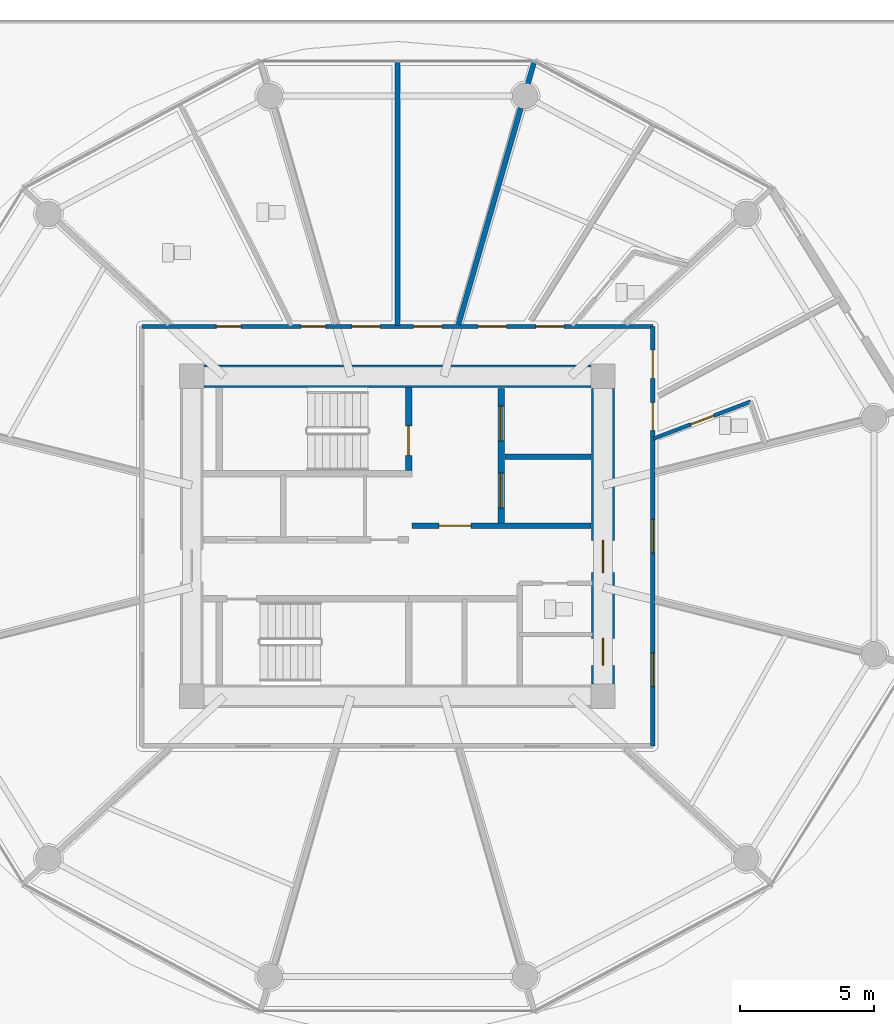
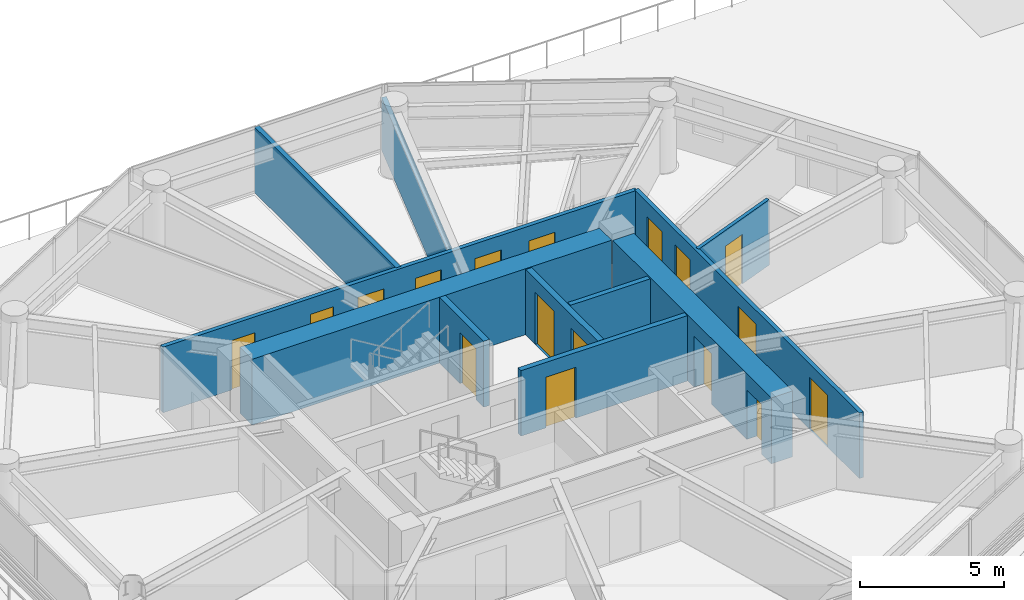
# One storey, part 16 of 32: 17 doors, 11 walls, 17 openings.
"""IFC4 building model written with IfcOpenShell, lengths in metres."""

from ifc_helpers import new_model, si_unit, direction, frame, frame_2d, origin, place, context, subcontext, project, spatial, rectangle, extrude, source, transform, mapped, material, layer, layer_set, type_object, type_shapes, element, fill, save


model = new_model("IFC4")

# Units and contexts
model_context = context("Model", 3, precision=1e-05, world=origin(), true_north=direction((0.0, 1.0)))
body_context = subcontext(model_context, "Body", "Model", "MODEL_VIEW")
ifc_project = project(units=[si_unit("LENGTHUNIT", "METRE"), si_unit("AREAUNIT", "SQUARE_METRE"), si_unit("VOLUMEUNIT", "CUBIC_METRE"), si_unit("PLANEANGLEUNIT", "RADIAN"), si_unit("MASSUNIT", "GRAM", prefix="KILO")], contexts=[model_context])

# Site, building, storey
site_placement = place(None, origin())
site = spatial("IfcSite", under=ifc_project, at=site_placement, CompositionType="ELEMENT")
building_placement = place(site_placement, origin())
building = spatial("IfcBuilding", under=site, at=building_placement, Name="Norrkilde Senior Care Towers", CompositionType="ELEMENT")
storey_placement = place(building_placement, frame((0.0, 0.0, 21.60009765625)))
storey = spatial("IfcBuildingStorey", under=building, at=storey_placement, Name="L05", CompositionType="ELEMENT", Elevation=21.60009765625)

# Wall
ifc_material_1 = material(Name="Concrete C60/75", Category="concrete")
ifc_layer_1 = layer(ifc_material_1, 0.85009765625)
ifc_layer_set_1 = layer_set([ifc_layer_1], Name="Concrete C60/75")
wall_type_1 = type_object("IfcWallType", Name="Core Shear Wall Z1 850", PredefinedType="SHEAR", material=ifc_layer_set_1)
shared_shape_1 = source(origin(), body_context, "Body", "SweptSolid", [
    extrude(rectangle(XDim=14.39990234375, YDim=0.85009765625, at=frame_2d((7.199951171875, 0.0))), origin(), (0.0, 0.0, 1.0), 2.789794921875),
])
wall_1_placement = place(storey_placement, frame((-35.199951171875, 5.949951171875, 0.0), z_axis=(0.0, 0.0, 1.0), x_axis=(1.0, 0.0, 0.0)))
element("IfcWall", 1, at=wall_1_placement, inside=storey, type_object=wall_type_1, Name="L05 Core W North Shear Wall", PredefinedType="SHEAR", context=body_context, shape_type="MappedRepresentation", body=[
    mapped(shared_shape_1, transform((0.0, 0.0, 0.0), x_axis=(1.0, 0.0, 0.0), y_axis=(0.0, 1.0, 0.0), z_axis=(0.0, 0.0, 1.0), scale=1.0)),
])

# Wall, openings, doors
shared_shape_2 = source(origin(), body_context, "Body", "SweptSolid", [
    extrude(rectangle(XDim=11.0, YDim=0.85009765625, at=frame_2d((5.5, 0.0))), origin(), (0.0, 0.0, 1.0), 2.789794921875),
])
type_shapes(wall_type_1, [shared_shape_1, shared_shape_2])
wall_2_placement = place(storey_placement, frame((-20.35009765625, 5.5, 0.0), z_axis=(0.0, 0.0, 1.0), x_axis=(0.0, -1.0, 0.0)))
wall_2 = element("IfcWall", 2, at=wall_2_placement, inside=storey, type_object=wall_type_1, Name="L05 Core W East Shear Wall", PredefinedType="SHEAR", context=body_context, shape_type="MappedRepresentation", body=[
    mapped(shared_shape_2, transform((0.0, 0.0, 0.0), x_axis=(1.0, 0.0, 0.0), y_axis=(0.0, 1.0, 0.0), z_axis=(0.0, 0.0, 1.0), scale=1.0)),
])
opening_1_placement = place(wall_2_placement, frame((5.64990234375, 0.0, 0.0)))
opening_1 = element("IfcOpeningElement", 3, at=opening_1_placement, cuts=wall_2, Name="Opening D-04", PredefinedType="OPENING", context=body_context, shape_type="SweptSolid", body=[
    extrude(rectangle(XDim=1.199951171875, YDim=2.14990234375, at=frame_2d((0.60009765625, 1.074951171875))), frame((0.0, 0.43505859375, 0.0), z_axis=(0.0, -1.0, 0.0), x_axis=(1.0, 0.0, 0.0)), (0.0, 0.0, 1.0), 0.8701171875),
])
opening_2_placement = place(wall_2_placement, frame((9.300048828125, 0.0, 0.0)))
opening_2 = element("IfcOpeningElement", 4, at=opening_2_placement, cuts=wall_2, Name="Opening D-10", PredefinedType="OPENING", context=body_context, shape_type="SweptSolid", body=[
    extrude(rectangle(XDim=1.0, YDim=2.10009765625, at=frame_2d((0.5, 1.050048828125))), frame((0.0, 0.43505859375, 0.0), z_axis=(0.0, -1.0, 0.0), x_axis=(1.0, 0.0, 0.0)), (0.0, 0.0, 1.0), 0.8701171875),
])
ifc_material_2 = material(Name="Galvanised Painted Steel", Category="steel")
door_type_1 = type_object("IfcDoorType", Name="Firefighting Lobby Fire Door 1200x2150", OperationType="NOTDEFINED", PredefinedType="DOOR", material=ifc_material_2)
shared_shape_3 = source(origin(), body_context, "Body", "SweptSolid", [
    extrude(rectangle(XDim=1.199951171875, YDim=2.14990234375, at=frame_2d((0.60009765625, 1.074951171875))), frame((0.0, 0.02490234375, 0.0), z_axis=(0.0, -1.0, 0.0), x_axis=(1.0, 0.0, 0.0)), (0.0, 0.0, 1.0), 0.050048828125),
])
type_shapes(door_type_1, [shared_shape_3])
door_1_placement = place(opening_1_placement, frame((1.199951171875, 0.0, 0.0), z_axis=(0.0, 0.0, 1.0), x_axis=(-1.0, 0.0, 0.0)))
door_1 = element("IfcDoor", 5, at=door_1_placement, inside=storey, type_object=door_type_1, Name="L05 Core W East Portal Door", OperationType="SINGLE_SWING_RIGHT", OverallHeight=2.14990234375, OverallWidth=1.199951171875, PredefinedType="DOOR", context=body_context, shape_type="MappedRepresentation", body=[
    mapped(shared_shape_3, transform((0.0, 0.0, 0.0), x_axis=(1.0, 0.0, 0.0), y_axis=(0.0, 1.0, 0.0), z_axis=(0.0, 0.0, 1.0), scale=1.0)),
])
fill(opening_1, door_1)
door_type_2 = type_object("IfcDoorType", Name="Plant and Riser Rated Door 1000x2100", OperationType="NOTDEFINED", PredefinedType="DOOR", material=ifc_material_2)
shared_shape_4 = source(origin(), body_context, "Body", "SweptSolid", [
    extrude(rectangle(XDim=1.0, YDim=2.10009765625, at=frame_2d((0.5, 1.050048828125))), frame((0.0, 0.02490234375, 0.0), z_axis=(0.0, -1.0, 0.0), x_axis=(1.0, 0.0, 0.0)), (0.0, 0.0, 1.0), 0.050048828125),
])
type_shapes(door_type_2, [shared_shape_4])
door_2_placement = place(opening_2_placement, frame((1.0, 0.0, 0.0), z_axis=(0.0, 0.0, 1.0), x_axis=(-1.0, 0.0, 0.0)))
door_2 = element("IfcDoor", 6, at=door_2_placement, inside=storey, type_object=door_type_2, Name="L05 Ventilation Riser W Door", OperationType="SINGLE_SWING_RIGHT", OverallHeight=2.10009765625, OverallWidth=1.0, PredefinedType="DOOR", context=body_context, shape_type="MappedRepresentation", body=[
    mapped(shared_shape_4, transform((0.0, 0.0, 0.0), x_axis=(1.0, 0.0, 0.0), y_axis=(0.0, 1.0, 0.0), z_axis=(0.0, 0.0, 1.0), scale=1.0)),
])
fill(opening_2, door_2)

# Wall, opening, door
ifc_material_3 = material(Name="Concrete C45/55", Category="concrete")
ifc_layer_2 = layer(ifc_material_3, 0.239990234375)
ifc_layer_set_2 = layer_set([ifc_layer_2], Name="Concrete C45/55")
wall_type_2 = type_object("IfcWallType", Name="Shaft and Stair Enclosure Wall 240", PredefinedType="PARTITIONING", material=ifc_layer_set_2)
shared_shape_5 = source(origin(), body_context, "Body", "SweptSolid", [
    extrude(rectangle(XDim=3.074951171875, YDim=0.239990234375, at=frame_2d((1.53759765625, 0.0))), origin(), (0.0, 0.0, 1.0), 2.789794921875),
])
type_shapes(wall_type_2, [shared_shape_5])
wall_3_placement = place(storey_placement, frame((-27.580078125, 2.449951171875, 0.0), z_axis=(0.0, 0.0, 1.0), x_axis=(0.0, 1.0, 0.0)))
wall_3 = element("IfcWall", 7, at=wall_3_placement, inside=storey, type_object=wall_type_2, Name="WL-INT-L05-W-ST1E", PredefinedType="PARTITIONING", context=body_context, shape_type="MappedRepresentation", body=[
    mapped(shared_shape_5, transform((0.0, 0.0, 0.0), x_axis=(1.0, 0.0, 0.0), y_axis=(0.0, 1.0, 0.0), z_axis=(0.0, 0.0, 1.0), scale=1.0)),
])
opening_3_placement = place(wall_3_placement, frame((0.550048828125, 0.0, 0.0)))
opening_3 = element("IfcOpeningElement", 8, at=opening_3_placement, cuts=wall_3, Name="Opening D-03", PredefinedType="OPENING", context=body_context, shape_type="SweptSolid", body=[
    extrude(rectangle(XDim=1.10009765625, YDim=2.14990234375, at=frame_2d((0.550048828125, 1.074951171875))), frame((0.0, 0.1298828125, 0.0), z_axis=(0.0, -1.0, 0.0), x_axis=(1.0, 0.0, 0.0)), (0.0, 0.0, 1.0), 0.260009765625),
])
door_type_3 = type_object("IfcDoorType", Name="Stairwell Protected Fire Door 1100x2150", OperationType="NOTDEFINED", PredefinedType="DOOR", material=ifc_material_2)
shared_shape_6 = source(origin(), body_context, "Body", "SweptSolid", [
    extrude(rectangle(XDim=1.10009765625, YDim=2.14990234375, at=frame_2d((0.550048828125, 1.074951171875))), frame((0.0, 0.02490234375, 0.0), z_axis=(0.0, -1.0, 0.0), x_axis=(1.0, 0.0, 0.0)), (0.0, 0.0, 1.0), 0.050048828125),
])
type_shapes(door_type_3, [shared_shape_6])
door_3_placement = place(opening_3_placement, origin())
door_3 = element("IfcDoor", 9, at=door_3_placement, inside=storey, type_object=door_type_3, Name="L05 Stair W1 Fire Door", OperationType="SINGLE_SWING_LEFT", OverallHeight=2.14990234375, OverallWidth=1.10009765625, PredefinedType="DOOR", context=body_context, shape_type="MappedRepresentation", body=[
    mapped(shared_shape_6, transform((0.0, 0.0, 0.0), x_axis=(1.0, 0.0, 0.0), y_axis=(0.0, 1.0, 0.0), z_axis=(0.0, 0.0, 1.0), scale=1.0)),
])
fill(opening_3, door_3)

# Wall, openings, doors
ifc_layer_3 = layer(ifc_material_3, 0.239990234375)
ifc_layer_set_3 = layer_set([ifc_layer_3], Name="Concrete C45/55")
wall_type_3 = type_object("IfcWallType", Name="Lift and Plant Rated Enclosure Partition 240", PredefinedType="PARTITIONING", material=ifc_layer_set_3)
shared_shape_7 = source(origin(), body_context, "Body", "SweptSolid", [
    extrude(rectangle(XDim=5.0, YDim=0.239990234375, at=frame_2d((2.5, 0.0))), origin(), (0.0, 0.0, 1.0), 2.77490234375),
])
type_shapes(wall_type_3, [shared_shape_7])
wall_4_placement = place(storey_placement, frame((-24.139892578125, 0.5, 0.0), z_axis=(0.0, 0.0, 1.0), x_axis=(0.0, 1.0, 0.0)))
wall_4 = element("IfcWall", 10, at=wall_4_placement, inside=storey, type_object=wall_type_3, Name="WL-INT-L05-W-FFLE", PredefinedType="PARTITIONING", context=body_context, shape_type="MappedRepresentation", body=[
    mapped(shared_shape_7, transform((0.0, 0.0, 0.0), x_axis=(1.0, 0.0, 0.0), y_axis=(0.0, 1.0, 0.0), z_axis=(0.0, 0.0, 1.0), scale=1.0)),
])
opening_4_placement = place(wall_4_placement, frame((3.050048828125, 0.0, 0.0)))
opening_4 = element("IfcOpeningElement", 11, at=opening_4_placement, cuts=wall_4, Name="Opening LD-02", PredefinedType="OPENING", context=body_context, shape_type="SweptSolid", body=[
    extrude(rectangle(XDim=1.300048828125, YDim=2.199951171875, at=frame_2d((0.64990234375, 1.10009765625))), frame((0.0, 0.1298828125, 0.0), z_axis=(0.0, -1.0, 0.0), x_axis=(1.0, 0.0, 0.0)), (0.0, 0.0, 1.0), 0.260009765625),
])
opening_5_placement = place(wall_4_placement, frame((0.550048828125, 0.0, 0.0)))
opening_5 = element("IfcOpeningElement", 12, at=opening_5_placement, cuts=wall_4, Name="Opening LD-02", PredefinedType="OPENING", context=body_context, shape_type="SweptSolid", body=[
    extrude(rectangle(XDim=1.300048828125, YDim=2.199951171875, at=frame_2d((0.64990234375, 1.10009765625))), frame((0.0, 0.1298828125, 0.0), z_axis=(0.0, -1.0, 0.0), x_axis=(1.0, 0.0, 0.0)), (0.0, 0.0, 1.0), 0.260009765625),
])
ifc_material_4 = material(Name="Stainless Steel", Category="steel")
door_type_4 = type_object("IfcDoorType", Name="Stretcher and FFL Landing Sliding Door 1300x2200", OperationType="NOTDEFINED", PredefinedType="DOOR", material=ifc_material_4)
shared_shape_8 = source(origin(), body_context, "Body", "SweptSolid", [
    extrude(rectangle(XDim=1.300048828125, YDim=2.199951171875, at=frame_2d((0.64990234375, 1.10009765625))), frame((0.0, 0.02490234375, 0.0), z_axis=(0.0, -1.0, 0.0), x_axis=(1.0, 0.0, 0.0)), (0.0, 0.0, 1.0), 0.050048828125),
])
type_shapes(door_type_4, [shared_shape_8])
door_4_placement = place(opening_4_placement, origin())
door_4 = element("IfcDoor", 13, at=door_4_placement, inside=storey, type_object=door_type_4, Name="L05 Firefighting Lift W1 Landing Door", OperationType="SLIDING_TO_LEFT", OverallHeight=2.199951171875, OverallWidth=1.300048828125, PredefinedType="DOOR", context=body_context, shape_type="MappedRepresentation", body=[
    mapped(shared_shape_8, transform((0.0, 0.0, 0.0), x_axis=(1.0, 0.0, 0.0), y_axis=(0.0, 1.0, 0.0), z_axis=(0.0, 0.0, 1.0), scale=1.0)),
])
fill(opening_4, door_4)
door_5_placement = place(opening_5_placement, origin())
door_5 = element("IfcDoor", 14, at=door_5_placement, inside=storey, type_object=door_type_4, Name="L05 Stretcher Lift W1 Landing Door", OperationType="SLIDING_TO_RIGHT", OverallHeight=2.199951171875, OverallWidth=1.300048828125, PredefinedType="DOOR", context=body_context, shape_type="MappedRepresentation", body=[
    mapped(shared_shape_8, transform((0.0, 0.0, 0.0), x_axis=(1.0, 0.0, 0.0), y_axis=(0.0, 1.0, 0.0), z_axis=(0.0, 0.0, 1.0), scale=1.0)),
])
fill(opening_5, door_5)

# Wall
ifc_layer_4 = layer(ifc_material_3, 0.199951171875)
ifc_layer_set_4 = layer_set([ifc_layer_4], Name="Concrete C45/55")
wall_type_4 = type_object("IfcWallType", Name="Shaft Division and Plant Partition 200", PredefinedType="PARTITIONING", material=ifc_layer_set_4)
shared_shape_9 = source(origin(), body_context, "Body", "SweptSolid", [
    extrude(rectangle(XDim=3.199951171875, YDim=0.199951171875, at=frame_2d((1.60009765625, 0.0))), origin(), (0.0, 0.0, 1.0), 2.77490234375),
])
type_shapes(wall_type_4, [shared_shape_9])
wall_5_placement = place(storey_placement, frame((-24.0, 2.949951171875, 0.0), z_axis=(0.0, 0.0, 1.0), x_axis=(1.0, 0.0, 0.0)))
element("IfcWall", 15, at=wall_5_placement, inside=storey, type_object=wall_type_4, Name="WL-INT-L05-W-FFLDIV", PredefinedType="PARTITIONING", context=body_context, shape_type="MappedRepresentation", body=[
    mapped(shared_shape_9, transform((0.0, 0.0, 0.0), x_axis=(1.0, 0.0, 0.0), y_axis=(0.0, 1.0, 0.0), z_axis=(0.0, 0.0, 1.0), scale=1.0)),
])

# Wall, opening, door
ifc_layer_5 = layer(ifc_material_3, 0.2099609375)
ifc_layer_set_5 = layer_set([ifc_layer_5], Name="Concrete C45/55")
wall_type_5 = type_object("IfcWallType", Name="Firefighting Lobby Wall 210", PredefinedType="PARTITIONING", material=ifc_layer_set_5)
shared_shape_10 = source(origin(), body_context, "Body", "SweptSolid", [
    extrude(rectangle(XDim=6.659912109375, YDim=0.2099609375, at=frame_2d((3.330078125, 0.0))), origin(), (0.0, 0.0, 1.0), 2.77490234375),
])
type_shapes(wall_type_5, [shared_shape_10])
wall_6_placement = place(storey_placement, frame((-27.4599609375, 0.389892578125, 0.0), z_axis=(0.0, 0.0, 1.0), x_axis=(1.0, 0.0, 0.0)))
wall_6 = element("IfcWall", 16, at=wall_6_placement, inside=storey, type_object=wall_type_5, Name="WL-INT-L05-W-FFLS", PredefinedType="PARTITIONING", context=body_context, shape_type="MappedRepresentation", body=[
    mapped(shared_shape_10, transform((0.0, 0.0, 0.0), x_axis=(1.0, 0.0, 0.0), y_axis=(0.0, 1.0, 0.0), z_axis=(0.0, 0.0, 1.0), scale=1.0)),
])
opening_6_placement = place(wall_6_placement, frame((1.0, 0.0, 0.0)))
opening_6 = element("IfcOpeningElement", 17, at=opening_6_placement, cuts=wall_6, Name="Opening D-04", PredefinedType="OPENING", context=body_context, shape_type="SweptSolid", body=[
    extrude(rectangle(XDim=1.199951171875, YDim=2.14990234375, at=frame_2d((0.60009765625, 1.074951171875))), frame((0.0, 0.114990234375, 0.0), z_axis=(0.0, -1.0, 0.0), x_axis=(1.0, 0.0, 0.0)), (0.0, 0.0, 1.0), 0.22998046875),
])
door_6_placement = place(opening_6_placement, frame((1.199951171875, 0.0, 0.0), z_axis=(0.0, 0.0, 1.0), x_axis=(-1.0, 0.0, 0.0)))
door_6 = element("IfcDoor", 18, at=door_6_placement, inside=storey, type_object=door_type_1, Name="L05 Firefighting Lobby W Door", OperationType="SINGLE_SWING_LEFT", OverallHeight=2.14990234375, OverallWidth=1.199951171875, PredefinedType="DOOR", context=body_context, shape_type="MappedRepresentation", body=[
    mapped(shared_shape_3, transform((0.0, 0.0, 0.0), x_axis=(1.0, 0.0, 0.0), y_axis=(0.0, 1.0, 0.0), z_axis=(0.0, 0.0, 1.0), scale=1.0)),
])
fill(opening_6, door_6)

# Wall, openings, doors
ifc_material_5 = material(Name="Gypsum Acoustic Board")
ifc_layer_6 = layer(ifc_material_5, 0.1650390625)
ifc_layer_set_6 = layer_set([ifc_layer_6], Name="Gypsum Acoustic Board")
wall_type_6 = type_object("IfcWallType", Name="Corridor Rated Partition 165", PredefinedType="PARTITIONING", material=ifc_layer_set_6)
shared_shape_11 = source(origin(), body_context, "Body", "SweptSolid", [
    extrude(rectangle(XDim=19.0, YDim=0.1650390625, at=frame_2d((9.5, 0.0))), origin(), (0.0, 0.0, 1.0), 2.77490234375),
])
wall_7_placement = place(storey_placement, frame((-37.5, 7.800048828125, 0.0), z_axis=(0.0, 0.0, 1.0), x_axis=(1.0, 0.0, 0.0)))
wall_7 = element("IfcWall", 19, at=wall_7_placement, inside=storey, type_object=wall_type_6, Name="WL-INT-L05-W-CRW-N-0", PredefinedType="PARTITIONING", context=body_context, shape_type="MappedRepresentation", body=[
    mapped(shared_shape_11, transform((0.0, 0.0, 0.0), x_axis=(1.0, 0.0, 0.0), y_axis=(0.0, 1.0, 0.0), z_axis=(0.0, 0.0, 1.0), scale=1.0)),
])
opening_7_placement = place(wall_7_placement, frame((14.6533203125, 0.0, 0.0)))
opening_7 = element("IfcOpeningElement", 20, at=opening_7_placement, cuts=wall_7, Name="Opening D-06", PredefinedType="OPENING", context=body_context, shape_type="SweptSolid", body=[
    extrude(rectangle(XDim=1.050048828125, YDim=2.14990234375, at=frame_2d((0.52490234375, 1.074951171875))), frame((0.0, 0.092529296875, 0.0), z_axis=(0.0, -1.0, 0.0), x_axis=(1.0, 0.0, 0.0)), (0.0, 0.0, 1.0), 0.18505859375),
])
opening_8_placement = place(wall_7_placement, frame((12.499755859375, 0.0, 0.0)))
opening_8 = element("IfcOpeningElement", 21, at=opening_8_placement, cuts=wall_7, Name="Opening D-06", PredefinedType="OPENING", context=body_context, shape_type="SweptSolid", body=[
    extrude(rectangle(XDim=1.050048828125, YDim=2.14990234375, at=frame_2d((0.52490234375, 1.074951171875))), frame((0.0, 0.092529296875, 0.0), z_axis=(0.0, -1.0, 0.0), x_axis=(1.0, 0.0, 0.0)), (0.0, 0.0, 1.0), 0.18505859375),
])
opening_9_placement = place(wall_7_placement, frame((10.103759765625, 0.0, 0.0)))
opening_9 = element("IfcOpeningElement", 22, at=opening_9_placement, cuts=wall_7, Name="Opening D-06", PredefinedType="OPENING", context=body_context, shape_type="SweptSolid", body=[
    extrude(rectangle(XDim=1.050048828125, YDim=2.14990234375, at=frame_2d((0.52490234375, 1.074951171875))), frame((0.0, 0.092529296875, 0.0), z_axis=(0.0, -1.0, 0.0), x_axis=(1.0, 0.0, 0.0)), (0.0, 0.0, 1.0), 0.18505859375),
])
opening_10_placement = place(wall_7_placement, frame((7.806396484375, 0.0, 0.0)))
opening_10 = element("IfcOpeningElement", 23, at=opening_10_placement, cuts=wall_7, Name="Opening D-06", PredefinedType="OPENING", context=body_context, shape_type="SweptSolid", body=[
    extrude(rectangle(XDim=1.050048828125, YDim=2.14990234375, at=frame_2d((0.52490234375, 1.074951171875))), frame((0.0, 0.092529296875, 0.0), z_axis=(0.0, -1.0, 0.0), x_axis=(1.0, 0.0, 0.0)), (0.0, 0.0, 1.0), 0.18505859375),
])
opening_11_placement = place(wall_7_placement, frame((5.915283203125, 0.0, 0.0)))
opening_11 = element("IfcOpeningElement", 24, at=opening_11_placement, cuts=wall_7, Name="Opening D-08", PredefinedType="OPENING", context=body_context, shape_type="SweptSolid", body=[
    extrude(rectangle(XDim=0.919921875, YDim=2.10009765625, at=frame_2d((0.4599609375, 1.050048828125))), frame((0.0, 0.092529296875, 0.0), z_axis=(0.0, -1.0, 0.0), x_axis=(1.0, 0.0, 0.0)), (0.0, 0.0, 1.0), 0.18505859375),
])
opening_12_placement = place(wall_7_placement, frame((2.76904296875, 0.0, 0.0)))
opening_12 = element("IfcOpeningElement", 25, at=opening_12_placement, cuts=wall_7, Name="Opening D-08", PredefinedType="OPENING", context=body_context, shape_type="SweptSolid", body=[
    extrude(rectangle(XDim=0.919921875, YDim=2.10009765625, at=frame_2d((0.4599609375, 1.050048828125))), frame((0.0, 0.092529296875, 0.0), z_axis=(0.0, -1.0, 0.0), x_axis=(1.0, 0.0, 0.0)), (0.0, 0.0, 1.0), 0.18505859375),
])
ifc_material_6 = material(Name="Nordic Ash Timber", Category="wood")
door_type_5 = type_object("IfcDoorType", Name="Accessible Wet Room Door 920x2100", OperationType="NOTDEFINED", PredefinedType="DOOR", material=ifc_material_6)
shared_shape_12 = source(origin(), body_context, "Body", "SweptSolid", [
    extrude(rectangle(XDim=0.919921875, YDim=2.10009765625, at=frame_2d((0.4599609375, 1.050048828125))), frame((0.0, 0.02490234375, 0.0), z_axis=(0.0, -1.0, 0.0), x_axis=(1.0, 0.0, 0.0)), (0.0, 0.0, 1.0), 0.050048828125),
])
type_shapes(door_type_5, [shared_shape_12])
door_7_placement = place(opening_11_placement, frame((0.919921875, 0.0, 0.0), z_axis=(0.0, 0.0, 1.0), x_axis=(-1.0, 0.0, 0.0)))
door_7 = element("IfcDoor", 26, at=door_7_placement, inside=storey, type_object=door_type_5, Name="L05 Accessible Restroom Door", OperationType="SINGLE_SWING_RIGHT", OverallHeight=2.10009765625, OverallWidth=0.919921875, PredefinedType="DOOR", context=body_context, shape_type="MappedRepresentation", body=[
    mapped(shared_shape_12, transform((0.0, 0.0, 0.0), x_axis=(1.0, 0.0, 0.0), y_axis=(0.0, 1.0, 0.0), z_axis=(0.0, 0.0, 1.0), scale=1.0)),
])
fill(opening_11, door_7)
door_8_placement = place(opening_12_placement, frame((0.919921875, 0.0, 0.0), z_axis=(0.0, 0.0, 1.0), x_axis=(-1.0, 0.0, 0.0)))
door_8 = element("IfcDoor", 27, at=door_8_placement, inside=storey, type_object=door_type_5, Name="L05 Public Restroom Door", OperationType="SINGLE_SWING_LEFT", OverallHeight=2.10009765625, OverallWidth=0.919921875, PredefinedType="DOOR", context=body_context, shape_type="MappedRepresentation", body=[
    mapped(shared_shape_12, transform((0.0, 0.0, 0.0), x_axis=(1.0, 0.0, 0.0), y_axis=(0.0, 1.0, 0.0), z_axis=(0.0, 0.0, 1.0), scale=1.0)),
])
fill(opening_12, door_8)
door_type_6 = type_object("IfcDoorType", Name="Apartment Entrance Fire Door 1050x2150", OperationType="NOTDEFINED", PredefinedType="DOOR", material=ifc_material_6)
shared_shape_13 = source(origin(), body_context, "Body", "SweptSolid", [
    extrude(rectangle(XDim=1.050048828125, YDim=2.14990234375, at=frame_2d((0.52490234375, 1.074951171875))), frame((0.0, 0.02490234375, 0.0), z_axis=(0.0, -1.0, 0.0), x_axis=(1.0, 0.0, 0.0)), (0.0, 0.0, 1.0), 0.050048828125),
])
type_shapes(door_type_6, [shared_shape_13])
door_9_placement = place(opening_7_placement, frame((1.050048828125, 0.0, 0.0), z_axis=(0.0, 0.0, 1.0), x_axis=(-1.0, 0.0, 0.0)))
door_9 = element("IfcDoor", 28, at=door_9_placement, inside=storey, type_object=door_type_6, Name="L05 Care Suite 0501A Entrance Door", OperationType="SINGLE_SWING_LEFT", OverallHeight=2.14990234375, OverallWidth=1.050048828125, PredefinedType="DOOR", context=body_context, shape_type="MappedRepresentation", body=[
    mapped(shared_shape_13, transform((0.0, 0.0, 0.0), x_axis=(1.0, 0.0, 0.0), y_axis=(0.0, 1.0, 0.0), z_axis=(0.0, 0.0, 1.0), scale=1.0)),
])
fill(opening_7, door_9)
door_10_placement = place(opening_8_placement, frame((1.050048828125, 0.0, 0.0), z_axis=(0.0, 0.0, 1.0), x_axis=(-1.0, 0.0, 0.0)))
door_10 = element("IfcDoor", 29, at=door_10_placement, inside=storey, type_object=door_type_6, Name="L05 Therapy Day Lounge 01 Door", OperationType="SINGLE_SWING_LEFT", OverallHeight=2.14990234375, OverallWidth=1.050048828125, PredefinedType="DOOR", context=body_context, shape_type="MappedRepresentation", body=[
    mapped(shared_shape_13, transform((0.0, 0.0, 0.0), x_axis=(1.0, 0.0, 0.0), y_axis=(0.0, 1.0, 0.0), z_axis=(0.0, 0.0, 1.0), scale=1.0)),
])
fill(opening_8, door_10)
door_11_placement = place(opening_9_placement, frame((1.050048828125, 0.0, 0.0), z_axis=(0.0, 0.0, 1.0), x_axis=(-1.0, 0.0, 0.0)))
door_11 = element("IfcDoor", 30, at=door_11_placement, inside=storey, type_object=door_type_6, Name="L05 Physiotherapy Clinic 2A Door", OperationType="SINGLE_SWING_LEFT", OverallHeight=2.14990234375, OverallWidth=1.050048828125, PredefinedType="DOOR", context=body_context, shape_type="MappedRepresentation", body=[
    mapped(shared_shape_13, transform((0.0, 0.0, 0.0), x_axis=(1.0, 0.0, 0.0), y_axis=(0.0, 1.0, 0.0), z_axis=(0.0, 0.0, 1.0), scale=1.0)),
])
fill(opening_9, door_11)
door_12_placement = place(opening_10_placement, frame((1.050048828125, 0.0, 0.0), z_axis=(0.0, 0.0, 1.0), x_axis=(-1.0, 0.0, 0.0)))
door_12 = element("IfcDoor", 31, at=door_12_placement, inside=storey, type_object=door_type_6, Name="L05 Assessment Clinic 2B Door", OperationType="SINGLE_SWING_RIGHT", OverallHeight=2.14990234375, OverallWidth=1.050048828125, PredefinedType="DOOR", context=body_context, shape_type="MappedRepresentation", body=[
    mapped(shared_shape_13, transform((0.0, 0.0, 0.0), x_axis=(1.0, 0.0, 0.0), y_axis=(0.0, 1.0, 0.0), z_axis=(0.0, 0.0, 1.0), scale=1.0)),
])
fill(opening_10, door_12)

shared_shape_14 = source(origin(), body_context, "Body", "SweptSolid", [
    extrude(rectangle(XDim=15.60009765625, YDim=0.1650390625, at=frame_2d((7.800048828125, 0.0))), origin(), (0.0, 0.0, 1.0), 2.77490234375),
])
type_shapes(wall_type_6, [shared_shape_11, shared_shape_14])
wall_8_placement = place(storey_placement, frame((-18.5, 7.800048828125, 0.0), z_axis=(0.0, 0.0, 1.0), x_axis=(0.0, -1.0, 0.0)))
wall_8 = element("IfcWall", 32, at=wall_8_placement, inside=storey, type_object=wall_type_6, Name="WL-INT-L05-W-CRW-E-0", PredefinedType="PARTITIONING", context=body_context, shape_type="MappedRepresentation", body=[
    mapped(shared_shape_14, transform((0.0, 0.0, 0.0), x_axis=(1.0, 0.0, 0.0), y_axis=(0.0, 1.0, 0.0), z_axis=(0.0, 0.0, 1.0), scale=1.0)),
])
opening_13_placement = place(wall_8_placement, frame((12.141357421875, 0.0, 0.0)))
opening_13 = element("IfcOpeningElement", 33, at=opening_13_placement, cuts=wall_8, Name="Opening D-05", PredefinedType="OPENING", context=body_context, shape_type="SweptSolid", body=[
    extrude(rectangle(XDim=1.25, YDim=2.199951171875, at=frame_2d((0.625, 1.10009765625))), frame((0.0, 0.092529296875, 0.0), z_axis=(0.0, -1.0, 0.0), x_axis=(1.0, 0.0, 0.0)), (0.0, 0.0, 1.0), 0.18505859375),
])
opening_14_placement = place(wall_8_placement, frame((7.175048828125, 0.0, 0.0)))
opening_14 = element("IfcOpeningElement", 34, at=opening_14_placement, cuts=wall_8, Name="Opening D-05", PredefinedType="OPENING", context=body_context, shape_type="SweptSolid", body=[
    extrude(rectangle(XDim=1.25, YDim=2.199951171875, at=frame_2d((0.625, 1.10009765625))), frame((0.0, 0.092529296875, 0.0), z_axis=(0.0, -1.0, 0.0), x_axis=(1.0, 0.0, 0.0)), (0.0, 0.0, 1.0), 0.18505859375),
])
opening_15_placement = place(wall_8_placement, frame((2.826416015625, 0.0, 0.0)))
opening_15 = element("IfcOpeningElement", 35, at=opening_15_placement, cuts=wall_8, Name="Opening D-06", PredefinedType="OPENING", context=body_context, shape_type="SweptSolid", body=[
    extrude(rectangle(XDim=1.050048828125, YDim=2.14990234375, at=frame_2d((0.52490234375, 1.074951171875))), frame((0.0, 0.092529296875, 0.0), z_axis=(0.0, -1.0, 0.0), x_axis=(1.0, 0.0, 0.0)), (0.0, 0.0, 1.0), 0.18505859375),
])
opening_16_placement = place(wall_8_placement, frame((0.88134765625, 0.0, 0.0)))
opening_16 = element("IfcOpeningElement", 36, at=opening_16_placement, cuts=wall_8, Name="Opening D-06", PredefinedType="OPENING", context=body_context, shape_type="SweptSolid", body=[
    extrude(rectangle(XDim=1.050048828125, YDim=2.14990234375, at=frame_2d((0.52490234375, 1.074951171875))), frame((0.0, 0.092529296875, 0.0), z_axis=(0.0, -1.0, 0.0), x_axis=(1.0, 0.0, 0.0)), (0.0, 0.0, 1.0), 0.18505859375),
])
door_type_7 = type_object("IfcDoorType", Name="Care Bedroom Bariatric Door 1250x2200", OperationType="NOTDEFINED", PredefinedType="DOOR", material=ifc_material_6)
shared_shape_15 = source(origin(), body_context, "Body", "SweptSolid", [
    extrude(rectangle(XDim=1.25, YDim=2.199951171875, at=frame_2d((0.625, 1.10009765625))), frame((0.0, 0.02490234375, 0.0), z_axis=(0.0, -1.0, 0.0), x_axis=(1.0, 0.0, 0.0)), (0.0, 0.0, 1.0), 0.050048828125),
])
type_shapes(door_type_7, [shared_shape_15])
door_13_placement = place(opening_13_placement, frame((1.25, 0.0, 0.0), z_axis=(0.0, 0.0, 1.0), x_axis=(-1.0, 0.0, 0.0)))
door_13 = element("IfcDoor", 37, at=door_13_placement, inside=storey, type_object=door_type_7, Name="L05 Resident Therapeutic Day Lounge Door", OperationType="SINGLE_SWING_LEFT", OverallHeight=2.199951171875, OverallWidth=1.25, PredefinedType="DOOR", context=body_context, shape_type="MappedRepresentation", body=[
    mapped(shared_shape_15, transform((0.0, 0.0, 0.0), x_axis=(1.0, 0.0, 0.0), y_axis=(0.0, 1.0, 0.0), z_axis=(0.0, 0.0, 1.0), scale=1.0)),
])
fill(opening_13, door_13)
door_14_placement = place(opening_14_placement, frame((1.25, 0.0, 0.0), z_axis=(0.0, 0.0, 1.0), x_axis=(-1.0, 0.0, 0.0)))
door_14 = element("IfcDoor", 38, at=door_14_placement, inside=storey, type_object=door_type_7, Name="L05 Care Coordination Charting Office Door", OperationType="SINGLE_SWING_RIGHT", OverallHeight=2.199951171875, OverallWidth=1.25, PredefinedType="DOOR", context=body_context, shape_type="MappedRepresentation", body=[
    mapped(shared_shape_15, transform((0.0, 0.0, 0.0), x_axis=(1.0, 0.0, 0.0), y_axis=(0.0, 1.0, 0.0), z_axis=(0.0, 0.0, 1.0), scale=1.0)),
])
fill(opening_14, door_14)
door_15_placement = place(opening_15_placement, frame((1.050048828125, 0.0, 0.0), z_axis=(0.0, 0.0, 1.0), x_axis=(-1.0, 0.0, 0.0)))
door_15 = element("IfcDoor", 39, at=door_15_placement, inside=storey, type_object=door_type_6, Name="L05 Care Suite 0500A Entrance Door", OperationType="SINGLE_SWING_RIGHT", OverallHeight=2.14990234375, OverallWidth=1.050048828125, PredefinedType="DOOR", context=body_context, shape_type="MappedRepresentation", body=[
    mapped(shared_shape_13, transform((0.0, 0.0, 0.0), x_axis=(1.0, 0.0, 0.0), y_axis=(0.0, 1.0, 0.0), z_axis=(0.0, 0.0, 1.0), scale=1.0)),
])
fill(opening_15, door_15)
door_16_placement = place(opening_16_placement, frame((1.050048828125, 0.0, 0.0), z_axis=(0.0, 0.0, 1.0), x_axis=(-1.0, 0.0, 0.0)))
door_16 = element("IfcDoor", 40, at=door_16_placement, inside=storey, type_object=door_type_6, Name="L05 Therapy Day Lounge 00 Door", OperationType="SINGLE_SWING_RIGHT", OverallHeight=2.14990234375, OverallWidth=1.050048828125, PredefinedType="DOOR", context=body_context, shape_type="MappedRepresentation", body=[
    mapped(shared_shape_13, transform((0.0, 0.0, 0.0), x_axis=(1.0, 0.0, 0.0), y_axis=(0.0, 1.0, 0.0), z_axis=(0.0, 0.0, 1.0), scale=1.0)),
])
fill(opening_16, door_16)

# Walls
ifc_layer_7 = layer(ifc_material_5, 0.18994140625)
ifc_layer_set_7 = layer_set([ifc_layer_7], Name="Gypsum Acoustic Board")
wall_type_7 = type_object("IfcWallType", Name="Unit Demising Acoustic Wall 190", PredefinedType="PARTITIONING", material=ifc_layer_set_7)
shared_shape_16 = source(origin(), body_context, "Body", "SweptSolid", [
    extrude(rectangle(XDim=10.196044921875, YDim=0.18994140625, at=frame_2d((5.09814453125, 0.0))), origin(), (0.0, 0.0, 1.0), 2.224853515625),
])
wall_9_placement = place(storey_placement, frame((-25.72705078125, 7.8798828125, 0.0), z_axis=(0.0, 0.0, 1.0), x_axis=(0.277136420347, 0.960830580549, 0.0)))
element("IfcWall", 41, at=wall_9_placement, inside=storey, type_object=wall_type_7, Name="WL-INT-L05-W-DEM-02-0", PredefinedType="PARTITIONING", context=body_context, shape_type="MappedRepresentation", body=[
    mapped(shared_shape_16, transform((0.0, 0.0, 0.0), x_axis=(1.0, 0.0, 0.0), y_axis=(0.0, 1.0, 0.0), z_axis=(0.0, 0.0, 1.0), scale=1.0)),
])
shared_shape_17 = source(origin(), body_context, "Body", "SweptSolid", [
    extrude(rectangle(XDim=9.846435546875, YDim=0.18994140625, at=frame_2d((4.92333984375, 0.0))), origin(), (0.0, 0.0, 1.0), 2.77490234375),
])
type_shapes(wall_type_7, [shared_shape_16, shared_shape_17])
wall_10_placement = place(storey_placement, frame((-28.0, 7.830078125, 0.0), z_axis=(0.0, 0.0, 1.0), x_axis=(0.0, 1.0, 0.0)))
element("IfcWall", 42, at=wall_10_placement, inside=storey, type_object=wall_type_7, Name="WL-INT-L05-W-MID-02", PredefinedType="PARTITIONING", context=body_context, shape_type="MappedRepresentation", body=[
    mapped(shared_shape_17, transform((0.0, 0.0, 0.0), x_axis=(1.0, 0.0, 0.0), y_axis=(0.0, 1.0, 0.0), z_axis=(0.0, 0.0, 1.0), scale=1.0)),
])

# Wall, opening, door
ifc_layer_8 = layer(ifc_material_5, 0.139892578125)
ifc_layer_set_8 = layer_set([ifc_layer_8], Name="Gypsum Acoustic Board")
wall_type_8 = type_object("IfcWallType", Name="En-suite Wet Room Wall 140", PredefinedType="PARTITIONING", material=ifc_layer_set_8)
shared_shape_18 = source(origin(), body_context, "Body", "SweptSolid", [
    extrude(rectangle(XDim=3.8740234375, YDim=0.139892578125, at=frame_2d((1.93701171875, 0.0))), origin(), (0.0, 0.0, 1.0), 2.77490234375),
])
type_shapes(wall_type_8, [shared_shape_18])
wall_11_placement = place(storey_placement, frame((-18.469970703125, 3.631591796875, 0.0), z_axis=(0.0, 0.0, 1.0), x_axis=(0.934461775659, 0.35606346321, 0.0)))
wall_11 = element("IfcWall", 43, at=wall_11_placement, inside=storey, type_object=wall_type_8, Name="WL-INT-L05-W-ES-00A", PredefinedType="PARTITIONING", context=body_context, shape_type="MappedRepresentation", body=[
    mapped(shared_shape_18, transform((0.0, 0.0, 0.0), x_axis=(1.0, 0.0, 0.0), y_axis=(0.0, 1.0, 0.0), z_axis=(0.0, 0.0, 1.0), scale=1.0)),
])
opening_17_placement = place(wall_11_placement, frame((1.47705078125, 0.0, 0.0)))
opening_17 = element("IfcOpeningElement", 44, at=opening_17_placement, cuts=wall_11, Name="Opening D-08", PredefinedType="OPENING", context=body_context, shape_type="SweptSolid", body=[
    extrude(rectangle(XDim=0.919921875, YDim=2.10009765625, at=frame_2d((0.4599609375, 1.050048828125))), frame((0.0, 0.079833984375, 0.0), z_axis=(0.0, -1.0, 0.0), x_axis=(1.0, 0.0, 0.0)), (0.0, 0.0, 1.0), 0.159912109375),
])
door_17_placement = place(opening_17_placement, origin())
door_17 = element("IfcDoor", 45, at=door_17_placement, inside=storey, type_object=door_type_5, Name="L05 Care Suite 0500A Bathroom Door", OperationType="SINGLE_SWING_LEFT", OverallHeight=2.10009765625, OverallWidth=0.919921875, PredefinedType="DOOR", context=body_context, shape_type="MappedRepresentation", body=[
    mapped(shared_shape_12, transform((0.0, 0.0, 0.0), x_axis=(1.0, 0.0, 0.0), y_axis=(0.0, 1.0, 0.0), z_axis=(0.0, 0.0, 1.0), scale=1.0)),
])
fill(opening_17, door_17)

save(model, "model.ifc")
